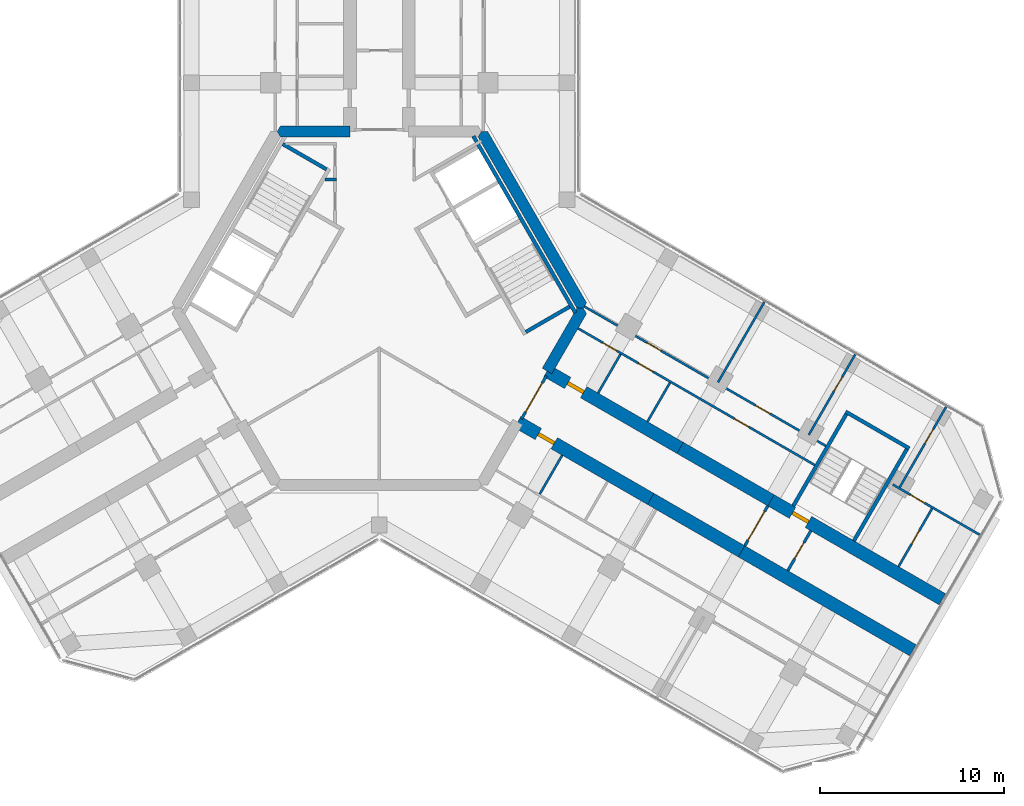
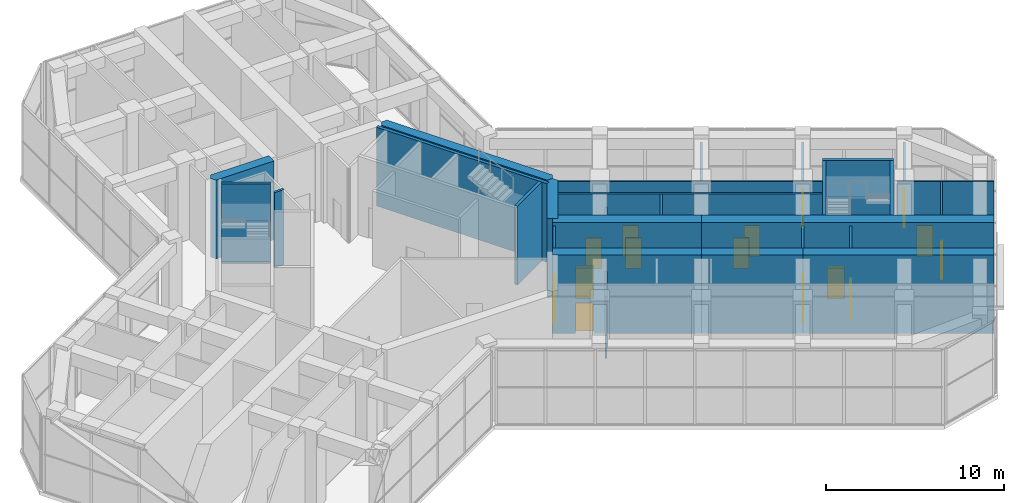
# One storey, part 13 of 16: 29 walls, 15 doors, 15 openings.
"""IFC4 building model written with IfcOpenShell, lengths in metres."""

from ifc_helpers import new_model, si_unit, direction, frame, frame_2d, origin, place, context, subcontext, project, spatial, polyline, rectangle, outline, extrude, material, layer, layer_set, type_object, element, fill, save


model = new_model("IFC4")

# Units and contexts
model_context = context("Model", 3, precision=1e-05, world=origin(), true_north=direction((0.0, 1.0)))
body_context = subcontext(model_context, "Body", "Model", "MODEL_VIEW")
ifc_project = project(units=[si_unit("LENGTHUNIT", "METRE"), si_unit("AREAUNIT", "SQUARE_METRE"), si_unit("VOLUMEUNIT", "CUBIC_METRE"), si_unit("PLANEANGLEUNIT", "RADIAN"), si_unit("MASSUNIT", "GRAM", prefix="KILO")], contexts=[model_context])

# Site, building, storey
site_placement = place(None, origin())
site = spatial("IfcSite", under=ifc_project, at=site_placement, CompositionType="ELEMENT")
building_placement = place(site_placement, origin())
building = spatial("IfcBuilding", under=site, at=building_placement, Name="Kosmar Iwan School Tower", CompositionType="ELEMENT")
storey_placement = place(building_placement, frame((0.0, 0.0, 226.199951171875)))
storey = spatial("IfcBuildingStorey", under=building, at=storey_placement, Name="L57", CompositionType="ELEMENT", Elevation=226.199951171875)

# Walls
ifc_material_1 = material(Name="Gypsum board on steel studs, fire-rated", Category="steel")
ifc_layer_1 = layer(ifc_material_1, 0.14990234375)
ifc_layer_set_1 = layer_set([ifc_layer_1], Name="Core room partition 150")
wall_type_1 = type_object("IfcWallType", Name="Core room partition 150", PredefinedType="PARTITIONING", material=ifc_layer_set_1)
wall_1_placement = place(storey_placement, frame((-2.324951171875, 6.985107421875, 0.0), z_axis=(0.0, 0.0, 1.0), x_axis=(-1.0, 0.0, 0.0)))
element("IfcWall", 1, at=wall_1_placement, inside=storey, type_object=wall_type_1, Name="Core room partition L57-CW2", PredefinedType="PARTITIONING", context=body_context, shape_type="SweptSolid", body=[
    extrude(rectangle(XDim=0.623779296875, YDim=0.14990234375, at=frame_2d((0.31201171875, 0.0))), origin(), (0.0, 0.0, 1.0), 5.150146484375),
])
ifc_material_2 = material(Name="Concrete C50/60", Category="concrete")
ifc_layer_2 = layer(ifc_material_2, 0.60009765625)
ifc_layer_set_2 = layer_set([ifc_layer_2], Name="Core wall 600")
wall_type_2 = type_object("IfcWallType", Name="Core wall 600", PredefinedType="SHEAR", material=ifc_layer_set_2)
wall_2_placement = place(storey_placement, origin())
element("IfcWall", 2, at=wall_2_placement, inside=storey, type_object=wall_type_2, Name="Core wall F030", PredefinedType="SHEAR", context=body_context, shape_type="SweptSolid", body=[
    extrude(outline(polyline([(10.73876953125, 0.0), (11.085205078125, 0.0), (11.25830078125, 0.300048828125), (5.888916015625, 9.60009765625), (5.54248046875, 9.60009765625), (5.369384765625, 9.300048828125), (10.73876953125, 0.0)])), origin(), (0.0, 0.0, 1.0), 5.400146484375),
])
wall_3_placement = place(storey_placement, origin())
element("IfcWall", 3, at=wall_3_placement, inside=storey, type_object=wall_type_2, Name="Core wall F090b", PredefinedType="SHEAR", context=body_context, shape_type="SweptSolid", body=[
    extrude(outline(polyline([(-5.369384765625, 9.300048828125), (-1.60009765625, 9.300048828125), (-1.60009765625, 9.89990234375), (-5.369384765625, 9.89990234375), (-5.54248046875, 9.60009765625), (-5.369384765625, 9.300048828125)])), origin(), (0.0, 0.0, 1.0), 5.400146484375),
])
wall_4_placement = place(storey_placement, origin())
element("IfcWall", 4, at=wall_4_placement, inside=storey, type_object=wall_type_2, Name="Core wall F330b", PredefinedType="SHEAR", context=body_context, shape_type="SweptSolid", body=[
    extrude(outline(polyline([(9.37353515625, -3.564453125), (11.25830078125, -0.300048828125), (11.085205078125, 0.0), (10.73876953125, 0.0), (8.85400390625, -3.264404296875), (9.37353515625, -3.564453125)])), origin(), (0.0, 0.0, 1.0), 5.400146484375),
])

# Wall, opening, door
ifc_material_3 = material(Name="Concrete C50/60", Category="concrete")
ifc_layer_3 = layer(ifc_material_3, 0.699951171875)
ifc_layer_set_3 = layer_set([ifc_layer_3], Name="Corridor buttress wall 700")
wall_type_3 = type_object("IfcWallType", Name="Corridor buttress wall 700", PredefinedType="SHEAR", material=ifc_layer_set_3)
wall_5_placement = place(storey_placement, frame((9.11376953125, -3.414306640625, 0.0), z_axis=(0.0, 0.0, 1.0), x_axis=(0.866026859388, -0.499997478812, 0.0)))
wall_5 = element("IfcWall", 5, at=wall_5_placement, inside=storey, type_object=wall_type_3, Name="Corridor wall CL", PredefinedType="SHEAR", context=body_context, shape_type="SweptSolid", body=[
    extrude(rectangle(XDim=8.35009765625, YDim=0.699951171875, at=frame_2d((4.175048828125, 0.0))), origin(), (0.0, 0.0, 1.0), 5.400146484375),
])
opening_1_placement = place(wall_5_placement, frame((1.300048828125, 0.0, 0.0)))
opening_1 = element("IfcOpeningElement", 6, at=opening_1_placement, cuts=wall_5, Name="Opening D1", PredefinedType="OPENING", context=body_context, shape_type="SweptSolid", body=[
    extrude(rectangle(XDim=1.0, YDim=2.10009765625, at=frame_2d((0.5, 1.050048828125))), frame((0.0, 0.362060546875, 0.0), z_axis=(0.0, -1.0, 0.0), x_axis=(1.0, 0.0, 0.0)), (0.0, 0.0, 1.0), 0.723876953125),
])
ifc_material_4 = material(Name="Timber fire door in steel frame", Category="steel")
door_type_1 = type_object("IfcDoorType", Name="Flat entrance door 1000x2100", OperationType="SINGLE_SWING_LEFT", PredefinedType="DOOR", material=ifc_material_4)
door_1_placement = place(opening_1_placement, origin())
door_1 = element("IfcDoor", 7, at=door_1_placement, inside=storey, type_object=door_type_1, Name="Flat L57-CL1 entrance door", OperationType="SINGLE_SWING_RIGHT", OverallHeight=2.10009765625, OverallWidth=1.0, PredefinedType="DOOR", context=body_context, shape_type="SweptSolid", body=[
    extrude(rectangle(XDim=1.0, YDim=2.10009765625, at=frame_2d((0.5, 1.050048828125))), frame((0.0, 0.10009765625, 0.0), z_axis=(0.0, -1.0, 0.0), x_axis=(1.0, 0.0, 0.0)), (0.0, 0.0, 1.0), 0.199951171875),
])
fill(opening_1, door_1)

# Wall
wall_6_placement = place(storey_placement, frame((16.34521484375, -7.58935546875, 0.0), z_axis=(0.0, 0.0, 1.0), x_axis=(0.866015111908, -0.50001782563, 0.0)))
element("IfcWall", 8, at=wall_6_placement, inside=storey, type_object=wall_type_3, Name="Corridor wall CL bay 2", PredefinedType="SHEAR", context=body_context, shape_type="SweptSolid", body=[
    extrude(rectangle(XDim=5.699951171875, YDim=0.699951171875, at=frame_2d((2.85009765625, 0.0))), origin(), (0.0, 0.0, 1.0), 5.400146484375),
])

# Wall, opening, door
wall_7_placement = place(storey_placement, frame((21.281494140625, -10.439453125, 0.0), z_axis=(0.0, 0.0, 1.0), x_axis=(0.866032345022, -0.499987977232, 0.0)))
wall_7 = element("IfcWall", 9, at=wall_7_placement, inside=storey, type_object=wall_type_3, Name="Corridor wall CL bay 3", PredefinedType="SHEAR", context=body_context, shape_type="SweptSolid", body=[
    extrude(rectangle(XDim=10.744873046875, YDim=0.699951171875, at=frame_2d((5.37255859375, 0.0))), origin(), (0.0, 0.0, 1.0), 5.400146484375),
])
opening_2_placement = place(wall_7_placement, frame((1.35009765625, 0.0, 0.0)))
opening_2 = element("IfcOpeningElement", 10, at=opening_2_placement, cuts=wall_7, Name="Opening D6", PredefinedType="OPENING", context=body_context, shape_type="SweptSolid", body=[
    extrude(rectangle(XDim=1.0, YDim=2.10009765625, at=frame_2d((0.5, 1.050048828125))), frame((0.0, 0.362060546875, 0.0), z_axis=(0.0, -1.0, 0.0), x_axis=(1.0, 0.0, 0.0)), (0.0, 0.0, 1.0), 0.723876953125),
])
ifc_material_5 = material(Name="Steel fire door", Category="steel")
door_type_2 = type_object("IfcDoorType", Name="Stair door 1000x2100", OperationType="SINGLE_SWING_LEFT", PredefinedType="DOOR", material=ifc_material_5)
door_2_placement = place(opening_2_placement, origin())
door_2 = element("IfcDoor", 11, at=door_2_placement, inside=storey, type_object=door_type_2, Name="Stair WS3 door L57", OperationType="SINGLE_SWING_LEFT", OverallHeight=2.10009765625, OverallWidth=1.0, PredefinedType="DOOR", context=body_context, shape_type="SweptSolid", body=[
    extrude(rectangle(XDim=1.0, YDim=2.10009765625, at=frame_2d((0.5, 1.050048828125))), frame((0.0, 0.10009765625, 0.0), z_axis=(0.0, -1.0, 0.0), x_axis=(1.0, 0.0, 0.0)), (0.0, 0.0, 1.0), 0.199951171875),
])
fill(opening_2, door_2)

wall_8_placement = place(storey_placement, frame((7.513916015625, -6.185546875, 0.0), z_axis=(0.0, 0.0, 1.0), x_axis=(0.866019549707, -0.500010139422, 0.0)))
wall_8 = element("IfcWall", 12, at=wall_8_placement, inside=storey, type_object=wall_type_3, Name="Corridor wall CR", PredefinedType="SHEAR", context=body_context, shape_type="SweptSolid", body=[
    extrude(rectangle(XDim=8.349853515625, YDim=0.699951171875, at=frame_2d((4.1748046875, 0.0))), origin(), (0.0, 0.0, 1.0), 5.400146484375),
])
opening_3_placement = place(wall_8_placement, frame((1.300048828125, 0.0, 0.0)))
opening_3 = element("IfcOpeningElement", 13, at=opening_3_placement, cuts=wall_8, Name="Opening D1", PredefinedType="OPENING", context=body_context, shape_type="SweptSolid", body=[
    extrude(rectangle(XDim=1.0, YDim=2.10009765625, at=frame_2d((0.5, 1.050048828125))), frame((0.0, 0.362060546875, 0.0), z_axis=(0.0, -1.0, 0.0), x_axis=(1.0, 0.0, 0.0)), (0.0, 0.0, 1.0), 0.723876953125),
])
door_3_placement = place(opening_3_placement, origin())
door_3 = element("IfcDoor", 14, at=door_3_placement, inside=storey, type_object=door_type_1, Name="Flat L57-CR1 entrance door", OperationType="SINGLE_SWING_LEFT", OverallHeight=2.10009765625, OverallWidth=1.0, PredefinedType="DOOR", context=body_context, shape_type="SweptSolid", body=[
    extrude(rectangle(XDim=1.0, YDim=2.10009765625, at=frame_2d((0.5, 1.050048828125))), frame((0.0, 0.10009765625, 0.0), z_axis=(0.0, -1.0, 0.0), x_axis=(1.0, 0.0, 0.0)), (0.0, 0.0, 1.0), 0.199951171875),
])
fill(opening_3, door_3)

# Walls
wall_9_placement = place(storey_placement, frame((14.7451171875, -10.360595703125, 0.0), z_axis=(0.0, 0.0, 1.0), x_axis=(0.866015111908, -0.50001782563, 0.0)))
element("IfcWall", 15, at=wall_9_placement, inside=storey, type_object=wall_type_3, Name="Corridor wall CR bay 2", PredefinedType="SHEAR", context=body_context, shape_type="SweptSolid", body=[
    extrude(rectangle(XDim=5.699951171875, YDim=0.699951171875, at=frame_2d((2.85009765625, 0.0))), origin(), (0.0, 0.0, 1.0), 5.400146484375),
])
wall_10_placement = place(storey_placement, frame((19.681396484375, -13.210693359375, 0.0), z_axis=(0.0, 0.0, 1.0), x_axis=(0.866028186671, -0.499995179869, 0.0)))
element("IfcWall", 16, at=wall_10_placement, inside=storey, type_object=wall_type_3, Name="Corridor wall CR bay 3", PredefinedType="SHEAR", context=body_context, shape_type="SweptSolid", body=[
    extrude(rectangle(XDim=10.7451171875, YDim=0.699951171875, at=frame_2d((5.37255859375, 0.0))), origin(), (0.0, 0.0, 1.0), 5.400146484375),
])

# Wall, opening, door
ifc_material_6 = material(Name="Gypsum board on steel studs, fire-rated", Category="steel")
ifc_layer_4 = layer(ifc_material_6, 0.14990234375)
ifc_layer_set_4 = layer_set([ifc_layer_4], Name="Corridor end wall 150")
wall_type_4 = type_object("IfcWallType", Name="Corridor end wall 150", PredefinedType="PARTITIONING", material=ifc_layer_set_4)
wall_11_placement = place(storey_placement, frame((22.19482421875, -14.257568359375, 0.0), z_axis=(0.0, 0.0, 1.0), x_axis=(0.500004234368, 0.866022959057, 0.0)))
wall_11 = element("IfcWall", 17, at=wall_11_placement, inside=storey, type_object=wall_type_4, Name="Partition L57-C-CE", PredefinedType="PARTITIONING", context=body_context, shape_type="SweptSolid", body=[
    extrude(rectangle(XDim=2.5, YDim=0.14990234375, at=frame_2d((1.25, 0.0))), origin(), (0.0, 0.0, 1.0), 5.150146484375),
])
opening_4_placement = place(wall_11_placement, frame((0.75, 0.0, 0.0)))
opening_4 = element("IfcOpeningElement", 18, at=opening_4_placement, cuts=wall_11, Name="Opening D13", PredefinedType="OPENING", context=body_context, shape_type="SweptSolid", body=[
    extrude(rectangle(XDim=1.0, YDim=2.10009765625, at=frame_2d((0.5, 1.050048828125))), frame((0.0, 0.0869140625, 0.0), z_axis=(0.0, -1.0, 0.0), x_axis=(1.0, 0.0, 0.0)), (0.0, 0.0, 1.0), 0.173828125),
])
ifc_material_7 = material(Name="Timber fire door with vision panel", Category="wood")
door_type_3 = type_object("IfcDoorType", Name="Corridor end door 1000x2100", OperationType="SINGLE_SWING_LEFT", PredefinedType="DOOR", material=ifc_material_7)
door_4_placement = place(opening_4_placement, origin())
door_4 = element("IfcDoor", 19, at=door_4_placement, inside=storey, type_object=door_type_3, Name="Laundry and drying room door L57-C", OperationType="SINGLE_SWING_LEFT", OverallHeight=2.10009765625, OverallWidth=1.0, PredefinedType="DOOR", context=body_context, shape_type="SweptSolid", body=[
    extrude(rectangle(XDim=1.0, YDim=2.10009765625, at=frame_2d((0.5, 1.050048828125))), frame((0.0, 0.02490234375, 0.0), z_axis=(0.0, -1.0, 0.0), x_axis=(1.0, 0.0, 0.0)), (0.0, 0.0, 1.0), 0.050048828125),
])
fill(opening_4, door_4)

wall_12_placement = place(storey_placement, frame((19.8564453125, -12.907470703125, 0.0), z_axis=(0.0, 0.0, 1.0), x_axis=(0.500004234368, 0.866022959057, 0.0)))
wall_12 = element("IfcWall", 20, at=wall_12_placement, inside=storey, type_object=wall_type_4, Name="Partition L57-C-HW", PredefinedType="PARTITIONING", context=body_context, shape_type="SweptSolid", body=[
    extrude(rectangle(XDim=2.5, YDim=0.14990234375, at=frame_2d((1.25, 0.0))), origin(), (0.0, 0.0, 1.0), 5.150146484375),
])
opening_5_placement = place(wall_12_placement, frame((0.35009765625, 0.0, 0.0)))
opening_5 = element("IfcOpeningElement", 21, at=opening_5_placement, cuts=wall_12, Name="Opening D9", PredefinedType="OPENING", context=body_context, shape_type="SweptSolid", body=[
    extrude(rectangle(XDim=1.800048828125, YDim=2.10009765625, at=frame_2d((0.89990234375, 1.050048828125))), frame((0.0, 0.0869140625, 0.0), z_axis=(0.0, -1.0, 0.0), x_axis=(1.0, 0.0, 0.0)), (0.0, 0.0, 1.0), 0.173828125),
])
ifc_material_8 = material(Name="Steel framed glazed smoke door", Category="steel")
door_type_4 = type_object("IfcDoorType", Name="Corridor smoke door pair 1800x2100", OperationType="DOUBLE_DOOR_DOUBLE_SWING", PredefinedType="DOOR", material=ifc_material_8)
door_5_placement = place(opening_5_placement, origin())
door_5 = element("IfcDoor", 22, at=door_5_placement, inside=storey, type_object=door_type_4, Name="Entrance vestibule smoke doors L57-C", OperationType="DOUBLE_DOOR_DOUBLE_SWING", OverallHeight=2.10009765625, OverallWidth=1.800048828125, PredefinedType="DOOR", context=body_context, shape_type="SweptSolid", body=[
    extrude(rectangle(XDim=1.800048828125, YDim=2.10009765625, at=frame_2d((0.89990234375, 1.050048828125))), frame((0.0, 0.02490234375, 0.0), z_axis=(0.0, -1.0, 0.0), x_axis=(1.0, 0.0, 0.0)), (0.0, 0.0, 1.0), 0.050048828125),
])
fill(opening_5, door_5)

ifc_material_9 = material(Name="Steel framed glazed screen", Category="steel")
ifc_layer_5 = layer(ifc_material_9, 0.14990234375)
ifc_layer_set_5 = layer_set([ifc_layer_5], Name="Corridor screen wall 150")
wall_type_5 = type_object("IfcWallType", Name="Corridor screen wall 150", PredefinedType="PARTITIONING", material=ifc_layer_set_5)
wall_13_placement = place(storey_placement, frame((7.725341796875, -6.01904296875, 0.0), z_axis=(0.0, 0.0, 1.0), x_axis=(0.500048589285, 0.86599734893, 0.0)))
wall_13 = element("IfcWall", 23, at=wall_13_placement, inside=storey, type_object=wall_type_5, Name="Corridor screen C L57", PredefinedType="PARTITIONING", context=body_context, shape_type="SweptSolid", body=[
    extrude(rectangle(XDim=2.699951171875, YDim=0.14990234375, at=frame_2d((1.35009765625, 0.0))), origin(), (0.0, 0.0, 1.0), 5.150146484375),
])
opening_6_placement = place(wall_13_placement, frame((0.449951171875, 0.0, 0.0)))
opening_6 = element("IfcOpeningElement", 24, at=opening_6_placement, cuts=wall_13, Name="Opening D9", PredefinedType="OPENING", context=body_context, shape_type="SweptSolid", body=[
    extrude(rectangle(XDim=1.800048828125, YDim=2.10009765625, at=frame_2d((0.89990234375, 1.050048828125))), frame((0.0, 0.0869140625, 0.0), z_axis=(0.0, -1.0, 0.0), x_axis=(1.0, 0.0, 0.0)), (0.0, 0.0, 1.0), 0.173828125),
])
door_6_placement = place(opening_6_placement, origin())
door_6 = element("IfcDoor", 25, at=door_6_placement, inside=storey, type_object=door_type_4, Name="Corridor doors C L57", OperationType="DOUBLE_DOOR_DOUBLE_SWING", OverallHeight=2.10009765625, OverallWidth=1.800048828125, PredefinedType="DOOR", context=body_context, shape_type="SweptSolid", body=[
    extrude(rectangle(XDim=1.800048828125, YDim=2.10009765625, at=frame_2d((0.89990234375, 1.050048828125))), frame((0.0, 0.02490234375, 0.0), z_axis=(0.0, -1.0, 0.0), x_axis=(1.0, 0.0, 0.0)), (0.0, 0.0, 1.0), 0.050048828125),
])
fill(opening_6, door_6)

# Wall, openings, doors
ifc_material_10 = material(Name="Gypsum board on steel studs", Category="steel")
ifc_layer_6 = layer(ifc_material_10, 0.1201171875)
ifc_layer_set_6 = layer_set([ifc_layer_6], Name="Dwelling partition 120")
wall_type_6 = type_object("IfcWallType", Name="Dwelling partition 120", PredefinedType="PARTITIONING", material=ifc_layer_set_6)
wall_14_placement = place(storey_placement, frame((10.798583984375, -1.09619140625, 0.0), z_axis=(0.0, 0.0, 1.0), x_axis=(0.866025974219, -0.499999011977, 0.0)))
wall_14 = element("IfcWall", 26, at=wall_14_placement, inside=storey, type_object=wall_type_6, Name="Partition L57-CL1-W1", PredefinedType="PARTITIONING", context=body_context, shape_type="SweptSolid", body=[
    extrude(rectangle(XDim=14.85009765625, YDim=0.1201171875, at=frame_2d((7.425048828125, 0.0))), origin(), (0.0, 0.0, 1.0), 5.150146484375),
])
opening_7_placement = place(wall_14_placement, frame((1.550048828125, 0.0, 0.0)))
opening_7 = element("IfcOpeningElement", 27, at=opening_7_placement, cuts=wall_14, Name="Opening D2", PredefinedType="OPENING", context=body_context, shape_type="SweptSolid", body=[
    extrude(rectangle(XDim=0.89990234375, YDim=2.10009765625, at=frame_2d((0.449951171875, 1.050048828125))), frame((0.0, 0.072021484375, 0.0), z_axis=(0.0, -1.0, 0.0), x_axis=(1.0, 0.0, 0.0)), (0.0, 0.0, 1.0), 0.14404296875),
])
opening_8_placement = place(wall_14_placement, frame((3.800048828125, 0.0, 0.0)))
opening_8 = element("IfcOpeningElement", 28, at=opening_8_placement, cuts=wall_14, Name="Opening D2", PredefinedType="OPENING", context=body_context, shape_type="SweptSolid", body=[
    extrude(rectangle(XDim=0.89990234375, YDim=2.10009765625, at=frame_2d((0.449951171875, 1.050048828125))), frame((0.0, 0.072021484375, 0.0), z_axis=(0.0, -1.0, 0.0), x_axis=(1.0, 0.0, 0.0)), (0.0, 0.0, 1.0), 0.14404296875),
])
opening_9_placement = place(wall_14_placement, frame((9.824951171875, 0.0, 0.0)))
opening_9 = element("IfcOpeningElement", 29, at=opening_9_placement, cuts=wall_14, Name="Opening D2", PredefinedType="OPENING", context=body_context, shape_type="SweptSolid", body=[
    extrude(rectangle(XDim=0.89990234375, YDim=2.10009765625, at=frame_2d((0.449951171875, 1.050048828125))), frame((0.0, 0.072021484375, 0.0), z_axis=(0.0, -1.0, 0.0), x_axis=(1.0, 0.0, 0.0)), (0.0, 0.0, 1.0), 0.14404296875),
])
ifc_material_11 = material(Name="Timber door in timber frame", Category="wood")
door_type_5 = type_object("IfcDoorType", Name="Internal door 900x2100", OperationType="SINGLE_SWING_LEFT", PredefinedType="DOOR", material=ifc_material_11)
door_7_placement = place(opening_7_placement, origin())
door_7 = element("IfcDoor", 30, at=door_7_placement, inside=storey, type_object=door_type_5, Name="Entrance hall door L57-CL1-S1", OperationType="SINGLE_SWING_LEFT", OverallHeight=2.10009765625, OverallWidth=0.89990234375, PredefinedType="DOOR", context=body_context, shape_type="SweptSolid", body=[
    extrude(rectangle(XDim=0.89990234375, YDim=2.10009765625, at=frame_2d((0.449951171875, 1.050048828125))), frame((0.0, 0.02490234375, 0.0), z_axis=(0.0, -1.0, 0.0), x_axis=(1.0, 0.0, 0.0)), (0.0, 0.0, 1.0), 0.050048828125),
])
fill(opening_7, door_7)
door_8_placement = place(opening_8_placement, origin())
door_8 = element("IfcDoor", 31, at=door_8_placement, inside=storey, type_object=door_type_5, Name="Garden store door L57-CL1-S2", OperationType="SINGLE_SWING_LEFT", OverallHeight=2.10009765625, OverallWidth=0.89990234375, PredefinedType="DOOR", context=body_context, shape_type="SweptSolid", body=[
    extrude(rectangle(XDim=0.89990234375, YDim=2.10009765625, at=frame_2d((0.449951171875, 1.050048828125))), frame((0.0, 0.02490234375, 0.0), z_axis=(0.0, -1.0, 0.0), x_axis=(1.0, 0.0, 0.0)), (0.0, 0.0, 1.0), 0.050048828125),
])
fill(opening_8, door_8)
door_9_placement = place(opening_9_placement, origin())
door_9 = element("IfcDoor", 32, at=door_9_placement, inside=storey, type_object=door_type_5, Name="Lounge kitchen door L57-CL1-S3", OperationType="SINGLE_SWING_RIGHT", OverallHeight=2.10009765625, OverallWidth=0.89990234375, PredefinedType="DOOR", context=body_context, shape_type="SweptSolid", body=[
    extrude(rectangle(XDim=0.89990234375, YDim=2.10009765625, at=frame_2d((0.449951171875, 1.050048828125))), frame((0.0, 0.02490234375, 0.0), z_axis=(0.0, -1.0, 0.0), x_axis=(1.0, 0.0, 0.0)), (0.0, 0.0, 1.0), 0.050048828125),
])
fill(opening_9, door_9)

wall_15_placement = place(storey_placement, frame((11.138916015625, 0.093017578125, 0.0), z_axis=(0.0, 0.0, 1.0), x_axis=(0.866024032363, -0.500002375365, 0.0)))
wall_15 = element("IfcWall", 33, at=wall_15_placement, inside=storey, type_object=wall_type_6, Name="Partition L57-CL1-W2", PredefinedType="PARTITIONING", context=body_context, shape_type="SweptSolid", body=[
    extrude(rectangle(XDim=15.14990234375, YDim=0.1201171875, at=frame_2d((7.574951171875, 0.0))), origin(), (0.0, 0.0, 1.0), 5.150146484375),
])
opening_10_placement = place(wall_15_placement, frame((3.925048828125, 0.0, 0.0)))
opening_10 = element("IfcOpeningElement", 34, at=opening_10_placement, cuts=wall_15, Name="Opening D2", PredefinedType="OPENING", context=body_context, shape_type="SweptSolid", body=[
    extrude(rectangle(XDim=0.89990234375, YDim=2.10009765625, at=frame_2d((0.449951171875, 1.050048828125))), frame((0.0, 0.072021484375, 0.0), z_axis=(0.0, -1.0, 0.0), x_axis=(1.0, 0.0, 0.0)), (0.0, 0.0, 1.0), 0.14404296875),
])
opening_11_placement = place(wall_15_placement, frame((10.75, 0.0, 0.0)))
opening_11 = element("IfcOpeningElement", 35, at=opening_11_placement, cuts=wall_15, Name="Opening D2", PredefinedType="OPENING", context=body_context, shape_type="SweptSolid", body=[
    extrude(rectangle(XDim=0.89990234375, YDim=2.10009765625, at=frame_2d((0.449951171875, 1.050048828125))), frame((0.0, 0.072021484375, 0.0), z_axis=(0.0, -1.0, 0.0), x_axis=(1.0, 0.0, 0.0)), (0.0, 0.0, 1.0), 0.14404296875),
])
door_10_placement = place(opening_10_placement, origin())
door_10 = element("IfcDoor", 36, at=door_10_placement, inside=storey, type_object=door_type_5, Name="Winter garden door L57-CL1-F1", OperationType="SINGLE_SWING_LEFT", OverallHeight=2.10009765625, OverallWidth=0.89990234375, PredefinedType="DOOR", context=body_context, shape_type="SweptSolid", body=[
    extrude(rectangle(XDim=0.89990234375, YDim=2.10009765625, at=frame_2d((0.449951171875, 1.050048828125))), frame((0.0, 0.02490234375, 0.0), z_axis=(0.0, -1.0, 0.0), x_axis=(1.0, 0.0, 0.0)), (0.0, 0.0, 1.0), 0.050048828125),
])
fill(opening_10, door_10)
door_11_placement = place(opening_11_placement, origin())
door_11 = element("IfcDoor", 37, at=door_11_placement, inside=storey, type_object=door_type_5, Name="Residents' lounge door L57-CL1-F2", OperationType="SINGLE_SWING_RIGHT", OverallHeight=2.10009765625, OverallWidth=0.89990234375, PredefinedType="DOOR", context=body_context, shape_type="SweptSolid", body=[
    extrude(rectangle(XDim=0.89990234375, YDim=2.10009765625, at=frame_2d((0.449951171875, 1.050048828125))), frame((0.0, 0.02490234375, 0.0), z_axis=(0.0, -1.0, 0.0), x_axis=(1.0, 0.0, 0.0)), (0.0, 0.0, 1.0), 0.050048828125),
])
fill(opening_11, door_11)

# Walls
wall_16_placement = place(storey_placement, frame((18.400146484375, -4.030029296875, 0.0), z_axis=(0.0, 0.0, 1.0), x_axis=(0.499998066894, 0.866026519861, 0.0)))
element("IfcWall", 38, at=wall_16_placement, inside=storey, type_object=wall_type_6, Name="Partition L57-CL1-X1", PredefinedType="PARTITIONING", context=body_context, shape_type="SweptSolid", body=[
    extrude(rectangle(XDim=5.03515625, YDim=0.1201171875, at=frame_2d((2.517578125, 0.0))), origin(), (0.0, 0.0, 1.0), 4.25),
])
wall_17_placement = place(storey_placement, frame((11.886962890625, -4.611328125, 0.0), z_axis=(0.0, 0.0, 1.0), x_axis=(0.499959183527, 0.866048967903, 0.0)))
element("IfcWall", 39, at=wall_17_placement, inside=storey, type_object=wall_type_6, Name="Partition L57-CL1-Y1", PredefinedType="PARTITIONING", context=body_context, shape_type="SweptSolid", body=[
    extrude(rectangle(XDim=2.440185546875, YDim=0.1201171875, at=frame_2d((1.22021484375, 0.0))), origin(), (0.0, 0.0, 1.0), 4.25),
])
wall_18_placement = place(storey_placement, frame((14.571533203125, -6.161376953125, 0.0), z_axis=(0.0, 0.0, 1.0), x_axis=(0.499959183527, 0.866048967903, 0.0)))
element("IfcWall", 40, at=wall_18_placement, inside=storey, type_object=wall_type_6, Name="Partition L57-CL1-Y2", PredefinedType="PARTITIONING", context=body_context, shape_type="SweptSolid", body=[
    extrude(rectangle(XDim=2.440185546875, YDim=0.1201171875, at=frame_2d((1.22021484375, 0.0))), origin(), (0.0, 0.0, 1.0), 5.150146484375),
])

# Wall, opening, door
wall_19_placement = place(storey_placement, frame((23.33642578125, -6.8798828125, 0.0), z_axis=(0.0, 0.0, 1.0), x_axis=(0.500019063067, 0.866014397438, 0.0)))
wall_19 = element("IfcWall", 41, at=wall_19_placement, inside=storey, type_object=wall_type_6, Name="Partition L57-CL1-TB", PredefinedType="PARTITIONING", context=body_context, shape_type="SweptSolid", body=[
    extrude(rectangle(XDim=5.034912109375, YDim=0.1201171875, at=frame_2d((2.517578125, 0.0))), origin(), (0.0, 0.0, 1.0), 4.25),
])
opening_12_placement = place(wall_19_placement, frame((2.739990234375, 0.0, 0.0)))
opening_12 = element("IfcOpeningElement", 42, at=opening_12_placement, cuts=wall_19, Name="Opening D2", PredefinedType="OPENING", context=body_context, shape_type="SweptSolid", body=[
    extrude(rectangle(XDim=0.89990234375, YDim=2.10009765625, at=frame_2d((0.449951171875, 1.050048828125))), frame((0.0, 0.072021484375, 0.0), z_axis=(0.0, -1.0, 0.0), x_axis=(1.0, 0.0, 0.0)), (0.0, 0.0, 1.0), 0.14404296875),
])
door_12_placement = place(opening_12_placement, origin())
door_12 = element("IfcDoor", 43, at=door_12_placement, inside=storey, type_object=door_type_5, Name="Residents' lounge door L57-CL1-F2", OperationType="SINGLE_SWING_RIGHT", OverallHeight=2.10009765625, OverallWidth=0.89990234375, PredefinedType="DOOR", context=body_context, shape_type="SweptSolid", body=[
    extrude(rectangle(XDim=0.89990234375, YDim=2.10009765625, at=frame_2d((0.449951171875, 1.050048828125))), frame((0.0, 0.02490234375, 0.0), z_axis=(0.0, -1.0, 0.0), x_axis=(1.0, 0.0, 0.0)), (0.0, 0.0, 1.0), 0.050048828125),
])
fill(opening_12, door_12)

wall_20_placement = place(storey_placement, frame((28.27294921875, -9.72998046875, 0.0), z_axis=(0.0, 0.0, 1.0), x_axis=(0.499982695883, 0.866035394091, 0.0)))
wall_20 = element("IfcWall", 44, at=wall_20_placement, inside=storey, type_object=wall_type_6, Name="Partition L57-CL1-TX", PredefinedType="PARTITIONING", context=body_context, shape_type="SweptSolid", body=[
    extrude(rectangle(XDim=5.034912109375, YDim=0.1201171875, at=frame_2d((2.517578125, 0.0))), origin(), (0.0, 0.0, 1.0), 4.25),
])
opening_13_placement = place(wall_20_placement, frame((2.739990234375, 0.0, 0.0)))
opening_13 = element("IfcOpeningElement", 45, at=opening_13_placement, cuts=wall_20, Name="Opening D2", PredefinedType="OPENING", context=body_context, shape_type="SweptSolid", body=[
    extrude(rectangle(XDim=0.89990234375, YDim=2.10009765625, at=frame_2d((0.449951171875, 1.050048828125))), frame((0.0, 0.072021484375, 0.0), z_axis=(0.0, -1.0, 0.0), x_axis=(1.0, 0.0, 0.0)), (0.0, 0.0, 1.0), 0.14404296875),
])
door_13_placement = place(opening_13_placement, origin())
door_13 = element("IfcDoor", 46, at=door_13_placement, inside=storey, type_object=door_type_5, Name="Residents' lounge door L57-CL1-T1", OperationType="SINGLE_SWING_RIGHT", OverallHeight=2.10009765625, OverallWidth=0.89990234375, PredefinedType="DOOR", context=body_context, shape_type="SweptSolid", body=[
    extrude(rectangle(XDim=0.89990234375, YDim=2.10009765625, at=frame_2d((0.449951171875, 1.050048828125))), frame((0.0, 0.02490234375, 0.0), z_axis=(0.0, -1.0, 0.0), x_axis=(1.0, 0.0, 0.0)), (0.0, 0.0, 1.0), 0.050048828125),
])
fill(opening_13, door_13)

wall_21_placement = place(storey_placement, frame((27.896484375, -9.58203125, 0.0), z_axis=(0.0, 0.0, 1.0), x_axis=(0.866035508231, -0.499982498177, 0.0)))
wall_21 = element("IfcWall", 47, at=wall_21_placement, inside=storey, type_object=wall_type_6, Name="Partition L57-CL1-TW", PredefinedType="PARTITIONING", context=body_context, shape_type="SweptSolid", body=[
    extrude(rectangle(XDim=5.445068359375, YDim=0.1201171875, at=frame_2d((2.72265625, 0.0))), origin(), (0.0, 0.0, 1.0), 5.150146484375),
])
opening_14_placement = place(wall_21_placement, frame((1.10009765625, 0.0, 0.0)))
opening_14 = element("IfcOpeningElement", 48, at=opening_14_placement, cuts=wall_21, Name="Opening D2", PredefinedType="OPENING", context=body_context, shape_type="SweptSolid", body=[
    extrude(rectangle(XDim=0.89990234375, YDim=2.10009765625, at=frame_2d((0.449951171875, 1.050048828125))), frame((0.0, 0.072021484375, 0.0), z_axis=(0.0, -1.0, 0.0), x_axis=(1.0, 0.0, 0.0)), (0.0, 0.0, 1.0), 0.14404296875),
])
door_14_placement = place(opening_14_placement, origin())
door_14 = element("IfcDoor", 49, at=door_14_placement, inside=storey, type_object=door_type_5, Name="Accessible toilet door L57-CL1-T3", OperationType="SINGLE_SWING_LEFT", OverallHeight=2.10009765625, OverallWidth=0.89990234375, PredefinedType="DOOR", context=body_context, shape_type="SweptSolid", body=[
    extrude(rectangle(XDim=0.89990234375, YDim=2.10009765625, at=frame_2d((0.449951171875, 1.050048828125))), frame((0.0, 0.02490234375, 0.0), z_axis=(0.0, -1.0, 0.0), x_axis=(1.0, 0.0, 0.0)), (0.0, 0.0, 1.0), 0.050048828125),
])
fill(opening_14, door_14)

wall_22_placement = place(storey_placement, frame((28.21142578125, -14.036376953125, 0.0), z_axis=(0.0, 0.0, 1.0), x_axis=(0.499983701346, 0.866034813612, 0.0)))
wall_22 = element("IfcWall", 50, at=wall_22_placement, inside=storey, type_object=wall_type_6, Name="Partition L57-CL1-TY", PredefinedType="PARTITIONING", context=body_context, shape_type="SweptSolid", body=[
    extrude(rectangle(XDim=3.64013671875, YDim=0.1201171875, at=frame_2d((1.820068359375, 0.0))), origin(), (0.0, 0.0, 1.0), 5.150146484375),
])
opening_15_placement = place(wall_22_placement, frame((1.419921875, 0.0, 0.0)))
opening_15 = element("IfcOpeningElement", 51, at=opening_15_placement, cuts=wall_22, Name="Opening D3", PredefinedType="OPENING", context=body_context, shape_type="SweptSolid", body=[
    extrude(rectangle(XDim=0.800048828125, YDim=2.10009765625, at=frame_2d((0.39990234375, 1.050048828125))), frame((0.0, 0.072021484375, 0.0), z_axis=(0.0, -1.0, 0.0), x_axis=(1.0, 0.0, 0.0)), (0.0, 0.0, 1.0), 0.14404296875),
])
ifc_material_12 = material(Name="Timber door in timber frame", Category="wood")
door_type_6 = type_object("IfcDoorType", Name="Sanitary room door 800x2100", OperationType="SINGLE_SWING_LEFT", PredefinedType="DOOR", material=ifc_material_12)
door_15_placement = place(opening_15_placement, origin())
door_15 = element("IfcDoor", 52, at=door_15_placement, inside=storey, type_object=door_type_6, Name="Garden store door L57-CL1-T4", OperationType="SINGLE_SWING_RIGHT", OverallHeight=2.10009765625, OverallWidth=0.800048828125, PredefinedType="DOOR", context=body_context, shape_type="SweptSolid", body=[
    extrude(rectangle(XDim=0.800048828125, YDim=2.10009765625, at=frame_2d((0.39990234375, 1.050048828125))), frame((0.0, 0.02490234375, 0.0), z_axis=(0.0, -1.0, 0.0), x_axis=(1.0, 0.0, 0.0)), (0.0, 0.0, 1.0), 0.050048828125),
])
fill(opening_15, door_15)

# Walls
wall_23_placement = place(storey_placement, frame((9.93701171875, -7.98876953125, 0.0), z_axis=(0.0, 0.0, 1.0), x_axis=(-0.500077547548, -0.865980627057, 0.0)))
element("IfcWall", 53, at=wall_23_placement, inside=storey, type_object=wall_type_6, Name="Partition L57-CR1-Y1", PredefinedType="PARTITIONING", context=body_context, shape_type="SweptSolid", body=[
    extrude(rectangle(XDim=2.43994140625, YDim=0.1201171875, at=frame_2d((1.219970703125, 0.0))), origin(), (0.0, 0.0, 1.0), 4.25),
])
ifc_material_13 = material(Name="Concrete C35/45", Category="concrete")
ifc_layer_7 = layer(ifc_material_13, 0.199951171875)
ifc_layer_set_7 = layer_set([ifc_layer_7], Name="Escape stair wall 200")
wall_type_7 = type_object("IfcWallType", Name="Escape stair wall 200", PredefinedType="SHEAR", material=ifc_layer_set_7)
for number, where, z_axis, x_axis, name in (
    (54, (22.49560546875, -10.736328125, 0.0), (0.0, 0.0, 1.0), (0.500013701029, 0.866017493347, 0.0), "Stair WS3 wall"),
    (55, (25.78662109375, -12.63623046875, 0.0), (0.0, 0.0, 1.0), (0.500013701029, 0.866017493347, 0.0), "Stair WS3 wall"),
):
    element("IfcWall", number, at=place(storey_placement, frame(where, z_axis=z_axis, x_axis=x_axis)), inside=storey, type_object=wall_type_7, Name=name, PredefinedType="SHEAR", context=body_context, shape_type="SweptSolid", body=[
        extrude(rectangle(XDim=5.949951171875, YDim=0.199951171875, at=frame_2d((2.97509765625, 0.0))), origin(), (0.0, 0.0, 1.0), 5.130126953125),
    ])
wall_24_placement = place(storey_placement, frame((25.334228515625, -5.6201171875, 0.0), z_axis=(0.0, 0.0, 1.0), x_axis=(0.866026010844, -0.49999894854, 0.0)))
element("IfcWall", 56, at=wall_24_placement, inside=storey, type_object=wall_type_7, Name="Stair WS3 wall", PredefinedType="SHEAR", context=body_context, shape_type="SweptSolid", body=[
    extrude(rectangle(XDim=4.0, YDim=0.199951171875, at=frame_2d((2.0, 0.0))), origin(), (0.0, 0.0, 1.0), 5.130126953125),
])
ifc_material_14 = material(Name="Concrete C50/60", Category="concrete")
ifc_layer_8 = layer(ifc_material_14, 0.199951171875)
ifc_layer_set_8 = layer_set([ifc_layer_8], Name="Lift shaft wall 200")
wall_type_8 = type_object("IfcWallType", Name="Lift shaft wall 200", PredefinedType="SHEAR", material=ifc_layer_set_8)
wall_25_placement = place(storey_placement, frame((10.652099609375, -0.25, 0.0), z_axis=(0.0, 0.0, 1.0), x_axis=(-0.499990629522, 0.866030813765, 0.0)))
element("IfcWall", 57, at=wall_25_placement, inside=storey, type_object=wall_type_8, Name="Lift and stair back wall AC", PredefinedType="SHEAR", context=body_context, shape_type="SweptSolid", body=[
    extrude(rectangle(XDim=11.085205078125, YDim=0.199951171875, at=frame_2d((5.54248046875, 0.0))), origin(), (0.0, 0.0, 1.0), 5.400146484375),
])
ifc_material_15 = material(Name="Concrete C50/60", Category="concrete")
ifc_layer_9 = layer(ifc_material_15, 0.199951171875)
ifc_layer_set_9 = layer_set([ifc_layer_9], Name="Stair enclosure wall 200")
wall_type_9 = type_object("IfcWallType", Name="Stair enclosure wall 200", PredefinedType="SHEAR", material=ifc_layer_set_9)
for number, where, z_axis, x_axis, name in (
    (58, (-2.862548828125, 7.541748046875, 0.0), (0.0, 0.0, 1.0), (-0.866027397988, 0.499996545922, 0.0), "Stair ST2 wall"),
    (59, (7.962646484375, -1.291748046875, 0.0), (0.0, 0.0, 1.0), (0.866027397988, 0.499996545922, 0.0), "Stair ST1 wall"),
):
    element("IfcWall", number, at=place(storey_placement, frame(where, z_axis=z_axis, x_axis=x_axis)), inside=storey, type_object=wall_type_9, Name=name, PredefinedType="SHEAR", context=body_context, shape_type="SweptSolid", body=[
        extrude(rectangle(XDim=2.75, YDim=0.199951171875, at=frame_2d((1.375, 0.0))), origin(), (0.0, 0.0, 1.0), 5.400146484375),
    ])

save(model, "model.ifc")
